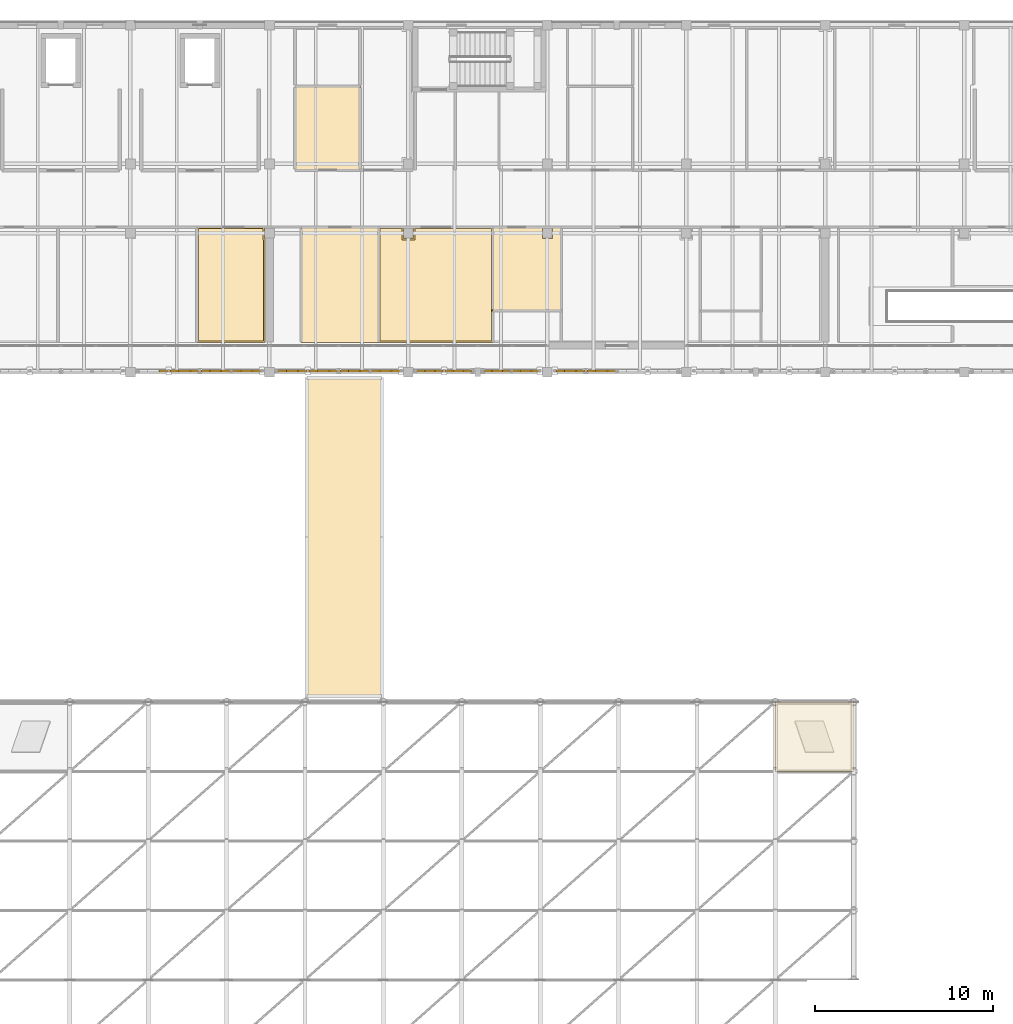
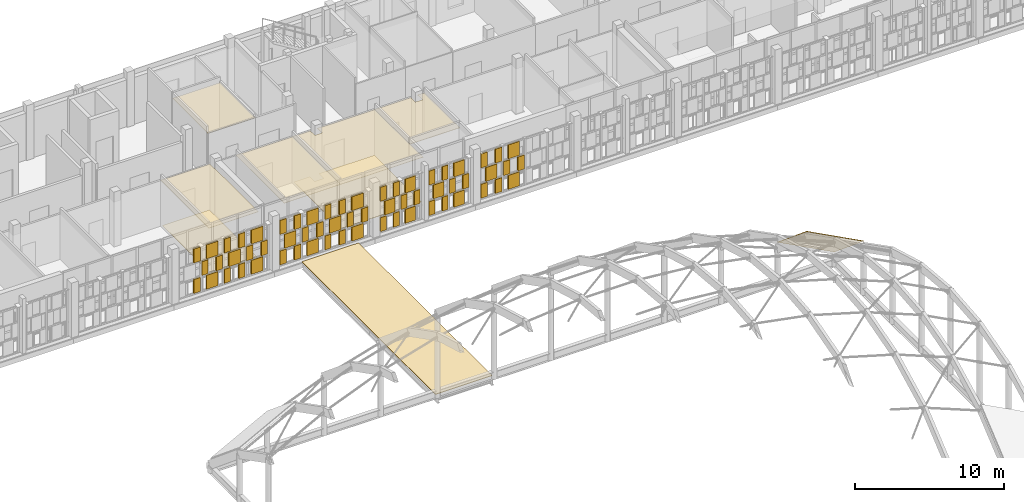
# One storey, part 114 of 119: 69 coverings.
"""IFC4 building model written with IfcOpenShell, lengths in metres."""

from ifc_helpers import new_model, si_unit, direction, frame, origin, origin_2d, place, context, subcontext, project, spatial, polyline, rectangle, outline, extrude, material, layer, layer_set, type_object, element, save


model = new_model("IFC4")

# Units and contexts
model_context = context("Model", 3, precision=1e-05, world=origin(), true_north=direction((0.0, 1.0)))
body_context = subcontext(model_context, "Body", "Model", "MODEL_VIEW")
ifc_project = project(units=[si_unit("LENGTHUNIT", "METRE"), si_unit("AREAUNIT", "SQUARE_METRE"), si_unit("VOLUMEUNIT", "CUBIC_METRE"), si_unit("PLANEANGLEUNIT", "RADIAN"), si_unit("MASSUNIT", "GRAM", prefix="KILO")], contexts=[model_context])

# Site, building, storey
site_placement = place(None, origin())
site = spatial("IfcSite", under=ifc_project, at=site_placement, CompositionType="ELEMENT")
building_placement = place(site_placement, origin())
building = spatial("IfcBuilding", under=site, at=building_placement, Name="Celorna Specialist Clinic", CompositionType="ELEMENT")
storey_placement = place(building_placement, frame((0.0, 0.0, 9.60009765625)))
storey = spatial("IfcBuildingStorey", under=building, at=storey_placement, Name="L02", CompositionType="ELEMENT", Elevation=9.60009765625)

# Coverings
ifc_material_1 = material(Name="Hygienic acoustic mineral-fibre ceiling")
ifc_layer_1 = layer(ifc_material_1, 0.030029296875, Name="Hygienic acoustic mineral-fibre ceiling")
ifc_layer_set_1 = layer_set([ifc_layer_1], Name="Hygienic acoustic mineral-fibre ceiling")
covering_type_1 = type_object("IfcCoveringType", Name="CE-01", PredefinedType="CEILING", material=ifc_layer_set_1)
covering_1_placement = place(storey_placement, frame((0.0, 0.0, 3.68994140625)))
element("IfcCovering", 1, at=covering_1_placement, inside=storey, type_object=covering_type_1, Name="Acoustic ceiling L02-029", PredefinedType="CEILING", context=body_context, shape_type="SweptSolid", body=[
    extrude(outline(polyline([(69.929931640625, 104.6650390625), (69.929931640625, 104.580078125), (69.919921875, 104.580078125), (69.919921875, 104.02001953125), (69.965087890625, 104.02001953125), (69.965087890625, 98.175048828125), (66.125, 98.175048828125), (66.125, 104.6650390625), (69.929931640625, 104.6650390625)])), origin(), (0.0, 0.0, 1.0), 0.030029296875),
])
covering_2_placement = place(storey_placement, frame((0.0, 0.0, 3.68994140625)))
element("IfcCovering", 2, at=covering_2_placement, inside=storey, type_object=covering_type_1, Name="Acoustic ceiling L02-030", PredefinedType="CEILING", context=body_context, shape_type="SweptSolid", body=[
    extrude(outline(polyline([(76.35498046875, 104.6650390625), (76.35498046875, 98.175048828125), (71.97509765625, 98.175048828125), (71.97509765625, 104.6650390625), (76.35498046875, 104.6650390625)])), origin(), (0.0, 0.0, 1.0), 0.030029296875),
])
covering_3_placement = place(storey_placement, frame((0.0, 0.0, 3.68994140625)))
element("IfcCovering", 3, at=covering_3_placement, inside=storey, type_object=covering_type_1, Name="Acoustic ceiling L02-031", PredefinedType="CEILING", context=body_context, shape_type="SweptSolid", body=[
    extrude(outline(polyline([(77.72998046875, 104.6650390625), (77.72998046875, 104.580078125), (77.719970703125, 104.580078125), (77.719970703125, 104.02001953125), (78.280029296875, 104.02001953125), (78.280029296875, 104.580078125), (78.27001953125, 104.580078125), (78.27001953125, 104.6650390625), (82.7548828125, 104.6650390625), (82.7548828125, 98.175048828125), (76.324951171875, 98.175048828125), (76.324951171875, 104.6650390625), (77.72998046875, 104.6650390625)])), origin(), (0.0, 0.0, 1.0), 0.030029296875),
])
covering_4_placement = place(storey_placement, frame((0.0, 0.0, 3.68994140625)))
element("IfcCovering", 4, at=covering_4_placement, inside=storey, type_object=covering_type_1, Name="Acoustic ceiling L02-032", PredefinedType="CEILING", context=body_context, shape_type="SweptSolid", body=[
    extrude(outline(polyline([(85.530029296875, 104.6650390625), (85.530029296875, 104.580078125), (85.52001953125, 104.580078125), (85.52001953125, 104.02001953125), (86.080078125, 104.02001953125), (86.080078125, 104.580078125), (86.070068359375, 104.580078125), (86.070068359375, 104.6650390625), (86.60498046875, 104.6650390625), (86.60498046875, 99.93505859375), (82.72509765625, 99.93505859375), (82.72509765625, 104.6650390625), (85.530029296875, 104.6650390625)])), origin(), (0.0, 0.0, 1.0), 0.030029296875),
])
covering_5_placement = place(storey_placement, frame((0.0, 0.0, 3.68994140625)))
element("IfcCovering", 5, at=covering_5_placement, inside=storey, type_object=covering_type_1, Name="Acoustic ceiling L02-042", PredefinedType="CEILING", context=body_context, shape_type="SweptSolid", body=[
    extrude(outline(polyline([(75.304931640625, 112.56494140625), (75.304931640625, 107.8349609375), (71.625, 107.8349609375), (71.625, 112.56494140625), (75.304931640625, 112.56494140625)])), origin(), (0.0, 0.0, 1.0), 0.030029296875),
])
ifc_material_2 = material(Name="Perforated terracotta brick weave cladding", Category="masonry")
ifc_layer_2 = layer(ifc_material_2, 0.114990234375, Name="Perforated terracotta brick weave cladding")
ifc_layer_set_2 = layer_set([ifc_layer_2], Name="Perforated terracotta brick weave cladding")
covering_type_2 = type_object("IfcCoveringType", Name="CL-02", PredefinedType="CLADDING", material=ifc_layer_set_2)
for number, where, z_axis, x_axis, name in (
    (6, (64.25, 96.570068359375, 0.10009765625), (0.0, 0.0, 1.0), (1.0, 0.0, 0.0), "Woven perforated terracotta brick course #897"),
    (7, (64.25, 96.570068359375, 2.59326171875), (0.0, 0.0, 1.0), (1.0, 0.0, 0.0), "Woven perforated terracotta brick course #900"),
):
    element("IfcCovering", number, at=place(storey_placement, frame(where, z_axis=z_axis, x_axis=x_axis)), inside=storey, type_object=covering_type_2, Name=name, PredefinedType="CLADDING", context=body_context, shape_type="SweptSolid", body=[
        extrude(rectangle(XDim=0.494873046875, YDim=0.114990234375, at=origin_2d()), origin(), (0.0, 0.0, 1.0), 1.146728515625),
    ])
covering_6_placement = place(storey_placement, frame((65.4287109375, 96.570068359375, 0.10009765625), z_axis=(0.0, 0.0, 1.0), x_axis=(1.0, 0.0, 0.0)))
element("IfcCovering", 8, at=covering_6_placement, inside=storey, type_object=covering_type_2, Name="Woven perforated terracotta brick course #901", PredefinedType="CLADDING", context=body_context, shape_type="SweptSolid", body=[
    extrude(rectangle(XDim=0.876220703125, YDim=0.114990234375, at=origin_2d()), origin(), (0.0, 0.0, 1.0), 1.146728515625),
])
for number, where, z_axis, x_axis, name in (
    (9, (64.864990234375, 96.570068359375, 1.3466796875), (0.0, 0.0, 1.0), (1.0, 0.0, 0.0), "Woven perforated terracotta brick course #902"),
    (10, (65.992431640625, 96.570068359375, 1.3466796875), (0.0, 0.0, 1.0), (1.0, 0.0, 0.0), "Woven perforated terracotta brick course #903"),
):
    element("IfcCovering", number, at=place(storey_placement, frame(where, z_axis=z_axis, x_axis=x_axis)), inside=storey, type_object=covering_type_2, Name=name, PredefinedType="CLADDING", context=body_context, shape_type="SweptSolid", body=[
        extrude(rectangle(XDim=0.494873046875, YDim=0.114990234375, at=origin_2d()), origin(), (0.0, 0.0, 1.0), 1.146484375),
    ])
covering_7_placement = place(storey_placement, frame((65.4287109375, 96.570068359375, 2.59326171875), z_axis=(0.0, 0.0, 1.0), x_axis=(1.0, 0.0, 0.0)))
element("IfcCovering", 11, at=covering_7_placement, inside=storey, type_object=covering_type_2, Name="Woven perforated terracotta brick course #904", PredefinedType="CLADDING", context=body_context, shape_type="SweptSolid", body=[
    extrude(rectangle(XDim=0.876220703125, YDim=0.114990234375, at=origin_2d()), origin(), (0.0, 0.0, 1.0), 1.146728515625),
])
for number, where, z_axis, x_axis, name in (
    (12, (66.607421875, 96.570068359375, 0.10009765625), (0.0, 0.0, 1.0), (1.0, 0.0, 0.0), "Woven perforated terracotta brick course #905"),
    (13, (67.735107421875, 96.570068359375, 0.10009765625), (0.0, 0.0, 1.0), (1.0, 0.0, 0.0), "Woven perforated terracotta brick course #906"),
):
    element("IfcCovering", number, at=place(storey_placement, frame(where, z_axis=z_axis, x_axis=x_axis)), inside=storey, type_object=covering_type_2, Name=name, PredefinedType="CLADDING", context=body_context, shape_type="SweptSolid", body=[
        extrude(rectangle(XDim=0.494873046875, YDim=0.114990234375, at=origin_2d()), origin(), (0.0, 0.0, 1.0), 1.146728515625),
    ])
covering_8_placement = place(storey_placement, frame((67.17138671875, 96.570068359375, 1.3466796875), z_axis=(0.0, 0.0, 1.0), x_axis=(1.0, 0.0, 0.0)))
element("IfcCovering", 14, at=covering_8_placement, inside=storey, type_object=covering_type_2, Name="Woven perforated terracotta brick course #907", PredefinedType="CLADDING", context=body_context, shape_type="SweptSolid", body=[
    extrude(rectangle(XDim=0.876220703125, YDim=0.114990234375, at=origin_2d()), origin(), (0.0, 0.0, 1.0), 1.146484375),
])
for number, where, z_axis, x_axis, name in (
    (15, (66.607421875, 96.570068359375, 2.59326171875), (0.0, 0.0, 1.0), (1.0, 0.0, 0.0), "Woven perforated terracotta brick course #908"),
    (16, (67.735107421875, 96.570068359375, 2.59326171875), (0.0, 0.0, 1.0), (1.0, 0.0, 0.0), "Woven perforated terracotta brick course #909"),
):
    element("IfcCovering", number, at=place(storey_placement, frame(where, z_axis=z_axis, x_axis=x_axis)), inside=storey, type_object=covering_type_2, Name=name, PredefinedType="CLADDING", context=body_context, shape_type="SweptSolid", body=[
        extrude(rectangle(XDim=0.494873046875, YDim=0.114990234375, at=origin_2d()), origin(), (0.0, 0.0, 1.0), 1.146728515625),
    ])
covering_9_placement = place(storey_placement, frame((68.913818359375, 96.570068359375, 0.10009765625), z_axis=(0.0, 0.0, 1.0), x_axis=(1.0, 0.0, 0.0)))
element("IfcCovering", 17, at=covering_9_placement, inside=storey, type_object=covering_type_2, Name="Woven perforated terracotta brick course #910", PredefinedType="CLADDING", context=body_context, shape_type="SweptSolid", body=[
    extrude(rectangle(XDim=0.876220703125, YDim=0.114990234375, at=origin_2d()), origin(), (0.0, 0.0, 1.0), 1.146728515625),
])
for number, where, z_axis, x_axis, name in (
    (18, (68.349853515625, 96.570068359375, 1.3466796875), (0.0, 0.0, 1.0), (1.0, 0.0, 0.0), "Woven perforated terracotta brick course #911"),
    (19, (69.4775390625, 96.570068359375, 1.3466796875), (0.0, 0.0, 1.0), (1.0, 0.0, 0.0), "Woven perforated terracotta brick course #912"),
):
    element("IfcCovering", number, at=place(storey_placement, frame(where, z_axis=z_axis, x_axis=x_axis)), inside=storey, type_object=covering_type_2, Name=name, PredefinedType="CLADDING", context=body_context, shape_type="SweptSolid", body=[
        extrude(rectangle(XDim=0.494873046875, YDim=0.114990234375, at=origin_2d()), origin(), (0.0, 0.0, 1.0), 1.146484375),
    ])
covering_10_placement = place(storey_placement, frame((68.913818359375, 96.570068359375, 2.59326171875), z_axis=(0.0, 0.0, 1.0), x_axis=(1.0, 0.0, 0.0)))
element("IfcCovering", 20, at=covering_10_placement, inside=storey, type_object=covering_type_2, Name="Woven perforated terracotta brick course #913", PredefinedType="CLADDING", context=body_context, shape_type="SweptSolid", body=[
    extrude(rectangle(XDim=0.876220703125, YDim=0.114990234375, at=origin_2d()), origin(), (0.0, 0.0, 1.0), 1.146728515625),
])
for number, where, z_axis, x_axis, name in (
    (21, (70.922607421875, 96.570068359375, 0.10009765625), (0.0, 0.0, 1.0), (1.0, 0.0, 0.0), "Woven perforated terracotta brick course #914"),
    (22, (72.050048828125, 96.570068359375, 0.10009765625), (0.0, 0.0, 1.0), (1.0, 0.0, 0.0), "Woven perforated terracotta brick course #915"),
):
    element("IfcCovering", number, at=place(storey_placement, frame(where, z_axis=z_axis, x_axis=x_axis)), inside=storey, type_object=covering_type_2, Name=name, PredefinedType="CLADDING", context=body_context, shape_type="SweptSolid", body=[
        extrude(rectangle(XDim=0.494873046875, YDim=0.114990234375, at=origin_2d()), origin(), (0.0, 0.0, 1.0), 1.146728515625),
    ])
covering_11_placement = place(storey_placement, frame((71.486328125, 96.570068359375, 1.3466796875), z_axis=(0.0, 0.0, 1.0), x_axis=(1.0, 0.0, 0.0)))
element("IfcCovering", 23, at=covering_11_placement, inside=storey, type_object=covering_type_2, Name="Woven perforated terracotta brick course #916", PredefinedType="CLADDING", context=body_context, shape_type="SweptSolid", body=[
    extrude(rectangle(XDim=0.876220703125, YDim=0.114990234375, at=origin_2d()), origin(), (0.0, 0.0, 1.0), 1.146484375),
])
for number, where, z_axis, x_axis, name in (
    (24, (70.922607421875, 96.570068359375, 2.59326171875), (0.0, 0.0, 1.0), (1.0, 0.0, 0.0), "Woven perforated terracotta brick course #917"),
    (25, (72.050048828125, 96.570068359375, 2.59326171875), (0.0, 0.0, 1.0), (1.0, 0.0, 0.0), "Woven perforated terracotta brick course #918"),
):
    element("IfcCovering", number, at=place(storey_placement, frame(where, z_axis=z_axis, x_axis=x_axis)), inside=storey, type_object=covering_type_2, Name=name, PredefinedType="CLADDING", context=body_context, shape_type="SweptSolid", body=[
        extrude(rectangle(XDim=0.494873046875, YDim=0.114990234375, at=origin_2d()), origin(), (0.0, 0.0, 1.0), 1.146728515625),
    ])
covering_12_placement = place(storey_placement, frame((73.228759765625, 96.570068359375, 0.10009765625), z_axis=(0.0, 0.0, 1.0), x_axis=(1.0, 0.0, 0.0)))
element("IfcCovering", 26, at=covering_12_placement, inside=storey, type_object=covering_type_2, Name="Woven perforated terracotta brick course #919", PredefinedType="CLADDING", context=body_context, shape_type="SweptSolid", body=[
    extrude(rectangle(XDim=0.876220703125, YDim=0.114990234375, at=origin_2d()), origin(), (0.0, 0.0, 1.0), 1.146728515625),
])
for number, where, z_axis, x_axis, name in (
    (27, (72.6650390625, 96.570068359375, 1.3466796875), (0.0, 0.0, 1.0), (1.0, 0.0, 0.0), "Woven perforated terracotta brick course #920"),
    (28, (73.79248046875, 96.570068359375, 1.3466796875), (0.0, 0.0, 1.0), (1.0, 0.0, 0.0), "Woven perforated terracotta brick course #921"),
):
    element("IfcCovering", number, at=place(storey_placement, frame(where, z_axis=z_axis, x_axis=x_axis)), inside=storey, type_object=covering_type_2, Name=name, PredefinedType="CLADDING", context=body_context, shape_type="SweptSolid", body=[
        extrude(rectangle(XDim=0.494873046875, YDim=0.114990234375, at=origin_2d()), origin(), (0.0, 0.0, 1.0), 1.146484375),
    ])
covering_13_placement = place(storey_placement, frame((73.228759765625, 96.570068359375, 2.59326171875), z_axis=(0.0, 0.0, 1.0), x_axis=(1.0, 0.0, 0.0)))
element("IfcCovering", 29, at=covering_13_placement, inside=storey, type_object=covering_type_2, Name="Woven perforated terracotta brick course #922", PredefinedType="CLADDING", context=body_context, shape_type="SweptSolid", body=[
    extrude(rectangle(XDim=0.876220703125, YDim=0.114990234375, at=origin_2d()), origin(), (0.0, 0.0, 1.0), 1.146728515625),
])
for number, where, z_axis, x_axis, name in (
    (30, (74.407470703125, 96.570068359375, 0.10009765625), (0.0, 0.0, 1.0), (1.0, 0.0, 0.0), "Woven perforated terracotta brick course #923"),
    (31, (75.534912109375, 96.570068359375, 0.10009765625), (0.0, 0.0, 1.0), (1.0, 0.0, 0.0), "Woven perforated terracotta brick course #924"),
):
    element("IfcCovering", number, at=place(storey_placement, frame(where, z_axis=z_axis, x_axis=x_axis)), inside=storey, type_object=covering_type_2, Name=name, PredefinedType="CLADDING", context=body_context, shape_type="SweptSolid", body=[
        extrude(rectangle(XDim=0.494873046875, YDim=0.114990234375, at=origin_2d()), origin(), (0.0, 0.0, 1.0), 1.146728515625),
    ])
covering_14_placement = place(storey_placement, frame((74.97119140625, 96.570068359375, 1.3466796875), z_axis=(0.0, 0.0, 1.0), x_axis=(1.0, 0.0, 0.0)))
element("IfcCovering", 32, at=covering_14_placement, inside=storey, type_object=covering_type_2, Name="Woven perforated terracotta brick course #925", PredefinedType="CLADDING", context=body_context, shape_type="SweptSolid", body=[
    extrude(rectangle(XDim=0.876220703125, YDim=0.114990234375, at=origin_2d()), origin(), (0.0, 0.0, 1.0), 1.146484375),
])
for number, where, z_axis, x_axis, name in (
    (33, (74.407470703125, 96.570068359375, 2.59326171875), (0.0, 0.0, 1.0), (1.0, 0.0, 0.0), "Woven perforated terracotta brick course #926"),
    (34, (75.534912109375, 96.570068359375, 2.59326171875), (0.0, 0.0, 1.0), (1.0, 0.0, 0.0), "Woven perforated terracotta brick course #927"),
):
    element("IfcCovering", number, at=place(storey_placement, frame(where, z_axis=z_axis, x_axis=x_axis)), inside=storey, type_object=covering_type_2, Name=name, PredefinedType="CLADDING", context=body_context, shape_type="SweptSolid", body=[
        extrude(rectangle(XDim=0.494873046875, YDim=0.114990234375, at=origin_2d()), origin(), (0.0, 0.0, 1.0), 1.146728515625),
    ])
covering_15_placement = place(storey_placement, frame((76.713623046875, 96.570068359375, 0.10009765625), z_axis=(0.0, 0.0, 1.0), x_axis=(1.0, 0.0, 0.0)))
element("IfcCovering", 35, at=covering_15_placement, inside=storey, type_object=covering_type_2, Name="Woven perforated terracotta brick course #928", PredefinedType="CLADDING", context=body_context, shape_type="SweptSolid", body=[
    extrude(rectangle(XDim=0.876220703125, YDim=0.114990234375, at=origin_2d()), origin(), (0.0, 0.0, 1.0), 1.146728515625),
])
for number, where, z_axis, x_axis, name in (
    (36, (76.14990234375, 96.570068359375, 1.3466796875), (0.0, 0.0, 1.0), (1.0, 0.0, 0.0), "Woven perforated terracotta brick course #929"),
    (37, (77.277587890625, 96.570068359375, 1.3466796875), (0.0, 0.0, 1.0), (1.0, 0.0, 0.0), "Woven perforated terracotta brick course #930"),
):
    element("IfcCovering", number, at=place(storey_placement, frame(where, z_axis=z_axis, x_axis=x_axis)), inside=storey, type_object=covering_type_2, Name=name, PredefinedType="CLADDING", context=body_context, shape_type="SweptSolid", body=[
        extrude(rectangle(XDim=0.494873046875, YDim=0.114990234375, at=origin_2d()), origin(), (0.0, 0.0, 1.0), 1.146484375),
    ])
covering_16_placement = place(storey_placement, frame((76.713623046875, 96.570068359375, 2.59326171875), z_axis=(0.0, 0.0, 1.0), x_axis=(1.0, 0.0, 0.0)))
element("IfcCovering", 38, at=covering_16_placement, inside=storey, type_object=covering_type_2, Name="Woven perforated terracotta brick course #931", PredefinedType="CLADDING", context=body_context, shape_type="SweptSolid", body=[
    extrude(rectangle(XDim=0.876220703125, YDim=0.114990234375, at=origin_2d()), origin(), (0.0, 0.0, 1.0), 1.146728515625),
])
for number, where, z_axis, x_axis, name in (
    (39, (78.7001953125, 96.570068359375, 0.10009765625), (0.0, 0.0, 1.0), (1.0, 0.0, 0.0), "Woven perforated terracotta brick course #932"),
    (40, (79.727294921875, 96.570068359375, 0.10009765625), (0.0, 0.0, 1.0), (1.0, 0.0, 0.0), "Woven perforated terracotta brick course #933"),
):
    element("IfcCovering", number, at=place(storey_placement, frame(where, z_axis=z_axis, x_axis=x_axis)), inside=storey, type_object=covering_type_2, Name=name, PredefinedType="CLADDING", context=body_context, shape_type="SweptSolid", body=[
        extrude(rectangle(XDim=0.45068359375, YDim=0.114990234375, at=origin_2d()), origin(), (0.0, 0.0, 1.0), 1.146728515625),
    ])
covering_17_placement = place(storey_placement, frame((79.2138671875, 96.570068359375, 1.3466796875), z_axis=(0.0, 0.0, 1.0), x_axis=(1.0, 0.0, 0.0)))
element("IfcCovering", 41, at=covering_17_placement, inside=storey, type_object=covering_type_2, Name="Woven perforated terracotta brick course #934", PredefinedType="CLADDING", context=body_context, shape_type="SweptSolid", body=[
    extrude(rectangle(XDim=0.7978515625, YDim=0.114990234375, at=origin_2d()), origin(), (0.0, 0.0, 1.0), 1.146484375),
])
for number, where, z_axis, x_axis, name in (
    (42, (78.7001953125, 96.570068359375, 2.59326171875), (0.0, 0.0, 1.0), (1.0, 0.0, 0.0), "Woven perforated terracotta brick course #935"),
    (43, (79.727294921875, 96.570068359375, 2.59326171875), (0.0, 0.0, 1.0), (1.0, 0.0, 0.0), "Woven perforated terracotta brick course #936"),
):
    element("IfcCovering", number, at=place(storey_placement, frame(where, z_axis=z_axis, x_axis=x_axis)), inside=storey, type_object=covering_type_2, Name=name, PredefinedType="CLADDING", context=body_context, shape_type="SweptSolid", body=[
        extrude(rectangle(XDim=0.45068359375, YDim=0.114990234375, at=origin_2d()), origin(), (0.0, 0.0, 1.0), 1.146728515625),
    ])
covering_18_placement = place(storey_placement, frame((80.811279296875, 96.570068359375, 0.10009765625), z_axis=(0.0, 0.0, 1.0), x_axis=(1.0, 0.0, 0.0)))
element("IfcCovering", 44, at=covering_18_placement, inside=storey, type_object=covering_type_2, Name="Woven perforated terracotta brick course #937", PredefinedType="CLADDING", context=body_context, shape_type="SweptSolid", body=[
    extrude(rectangle(XDim=0.7978515625, YDim=0.114990234375, at=origin_2d()), origin(), (0.0, 0.0, 1.0), 1.146728515625),
])
for number, where, z_axis, x_axis, name in (
    (45, (80.2978515625, 96.570068359375, 1.3466796875), (0.0, 0.0, 1.0), (1.0, 0.0, 0.0), "Woven perforated terracotta brick course #938"),
    (46, (81.32470703125, 96.570068359375, 1.3466796875), (0.0, 0.0, 1.0), (1.0, 0.0, 0.0), "Woven perforated terracotta brick course #939"),
):
    element("IfcCovering", number, at=place(storey_placement, frame(where, z_axis=z_axis, x_axis=x_axis)), inside=storey, type_object=covering_type_2, Name=name, PredefinedType="CLADDING", context=body_context, shape_type="SweptSolid", body=[
        extrude(rectangle(XDim=0.45068359375, YDim=0.114990234375, at=origin_2d()), origin(), (0.0, 0.0, 1.0), 1.146484375),
    ])
covering_19_placement = place(storey_placement, frame((80.811279296875, 96.570068359375, 2.59326171875), z_axis=(0.0, 0.0, 1.0), x_axis=(1.0, 0.0, 0.0)))
element("IfcCovering", 47, at=covering_19_placement, inside=storey, type_object=covering_type_2, Name="Woven perforated terracotta brick course #940", PredefinedType="CLADDING", context=body_context, shape_type="SweptSolid", body=[
    extrude(rectangle(XDim=0.7978515625, YDim=0.114990234375, at=origin_2d()), origin(), (0.0, 0.0, 1.0), 1.146728515625),
])
for number, where, z_axis, x_axis, name in (
    (48, (82.475341796875, 96.570068359375, 0.10009765625), (0.0, 0.0, 1.0), (1.0, 0.0, 0.0), "Woven perforated terracotta brick course #941"),
    (49, (83.502197265625, 96.570068359375, 0.10009765625), (0.0, 0.0, 1.0), (1.0, 0.0, 0.0), "Woven perforated terracotta brick course #942"),
):
    element("IfcCovering", number, at=place(storey_placement, frame(where, z_axis=z_axis, x_axis=x_axis)), inside=storey, type_object=covering_type_2, Name=name, PredefinedType="CLADDING", context=body_context, shape_type="SweptSolid", body=[
        extrude(rectangle(XDim=0.45068359375, YDim=0.114990234375, at=origin_2d()), origin(), (0.0, 0.0, 1.0), 1.146728515625),
    ])
covering_20_placement = place(storey_placement, frame((82.98876953125, 96.570068359375, 1.3466796875), z_axis=(0.0, 0.0, 1.0), x_axis=(1.0, 0.0, 0.0)))
element("IfcCovering", 50, at=covering_20_placement, inside=storey, type_object=covering_type_2, Name="Woven perforated terracotta brick course #943", PredefinedType="CLADDING", context=body_context, shape_type="SweptSolid", body=[
    extrude(rectangle(XDim=0.7978515625, YDim=0.114990234375, at=origin_2d()), origin(), (0.0, 0.0, 1.0), 1.146484375),
])
for number, where, z_axis, x_axis, name in (
    (51, (82.475341796875, 96.570068359375, 2.59326171875), (0.0, 0.0, 1.0), (1.0, 0.0, 0.0), "Woven perforated terracotta brick course #944"),
    (52, (83.502197265625, 96.570068359375, 2.59326171875), (0.0, 0.0, 1.0), (1.0, 0.0, 0.0), "Woven perforated terracotta brick course #945"),
):
    element("IfcCovering", number, at=place(storey_placement, frame(where, z_axis=z_axis, x_axis=x_axis)), inside=storey, type_object=covering_type_2, Name=name, PredefinedType="CLADDING", context=body_context, shape_type="SweptSolid", body=[
        extrude(rectangle(XDim=0.45068359375, YDim=0.114990234375, at=origin_2d()), origin(), (0.0, 0.0, 1.0), 1.146728515625),
    ])
covering_21_placement = place(storey_placement, frame((84.586181640625, 96.570068359375, 0.10009765625), z_axis=(0.0, 0.0, 1.0), x_axis=(1.0, 0.0, 0.0)))
element("IfcCovering", 53, at=covering_21_placement, inside=storey, type_object=covering_type_2, Name="Woven perforated terracotta brick course #946", PredefinedType="CLADDING", context=body_context, shape_type="SweptSolid", body=[
    extrude(rectangle(XDim=0.7978515625, YDim=0.114990234375, at=origin_2d()), origin(), (0.0, 0.0, 1.0), 1.146728515625),
])
for number, where, z_axis, x_axis, name in (
    (54, (84.07275390625, 96.570068359375, 1.3466796875), (0.0, 0.0, 1.0), (1.0, 0.0, 0.0), "Woven perforated terracotta brick course #947"),
    (55, (85.099609375, 96.570068359375, 1.3466796875), (0.0, 0.0, 1.0), (1.0, 0.0, 0.0), "Woven perforated terracotta brick course #948"),
):
    element("IfcCovering", number, at=place(storey_placement, frame(where, z_axis=z_axis, x_axis=x_axis)), inside=storey, type_object=covering_type_2, Name=name, PredefinedType="CLADDING", context=body_context, shape_type="SweptSolid", body=[
        extrude(rectangle(XDim=0.45068359375, YDim=0.114990234375, at=origin_2d()), origin(), (0.0, 0.0, 1.0), 1.146484375),
    ])
covering_22_placement = place(storey_placement, frame((84.586181640625, 96.570068359375, 2.59326171875), z_axis=(0.0, 0.0, 1.0), x_axis=(1.0, 0.0, 0.0)))
element("IfcCovering", 56, at=covering_22_placement, inside=storey, type_object=covering_type_2, Name="Woven perforated terracotta brick course #949", PredefinedType="CLADDING", context=body_context, shape_type="SweptSolid", body=[
    extrude(rectangle(XDim=0.7978515625, YDim=0.114990234375, at=origin_2d()), origin(), (0.0, 0.0, 1.0), 1.146728515625),
])
for number, where, z_axis, x_axis, name in (
    (57, (86.5224609375, 96.570068359375, 0.10009765625), (0.0, 0.0, 1.0), (1.0, 0.0, 0.0), "Woven perforated terracotta brick course #950"),
    (58, (87.64990234375, 96.570068359375, 0.10009765625), (0.0, 0.0, 1.0), (1.0, 0.0, 0.0), "Woven perforated terracotta brick course #951"),
):
    element("IfcCovering", number, at=place(storey_placement, frame(where, z_axis=z_axis, x_axis=x_axis)), inside=storey, type_object=covering_type_2, Name=name, PredefinedType="CLADDING", context=body_context, shape_type="SweptSolid", body=[
        extrude(rectangle(XDim=0.494873046875, YDim=0.114990234375, at=origin_2d()), origin(), (0.0, 0.0, 1.0), 1.146728515625),
    ])
covering_23_placement = place(storey_placement, frame((87.086181640625, 96.570068359375, 1.3466796875), z_axis=(0.0, 0.0, 1.0), x_axis=(1.0, 0.0, 0.0)))
element("IfcCovering", 59, at=covering_23_placement, inside=storey, type_object=covering_type_2, Name="Woven perforated terracotta brick course #952", PredefinedType="CLADDING", context=body_context, shape_type="SweptSolid", body=[
    extrude(rectangle(XDim=0.876220703125, YDim=0.114990234375, at=origin_2d()), origin(), (0.0, 0.0, 1.0), 1.146484375),
])
for number, where, z_axis, x_axis, name in (
    (60, (86.5224609375, 96.570068359375, 2.59326171875), (0.0, 0.0, 1.0), (1.0, 0.0, 0.0), "Woven perforated terracotta brick course #953"),
    (61, (87.64990234375, 96.570068359375, 2.59326171875), (0.0, 0.0, 1.0), (1.0, 0.0, 0.0), "Woven perforated terracotta brick course #954"),
):
    element("IfcCovering", number, at=place(storey_placement, frame(where, z_axis=z_axis, x_axis=x_axis)), inside=storey, type_object=covering_type_2, Name=name, PredefinedType="CLADDING", context=body_context, shape_type="SweptSolid", body=[
        extrude(rectangle(XDim=0.494873046875, YDim=0.114990234375, at=origin_2d()), origin(), (0.0, 0.0, 1.0), 1.146728515625),
    ])
covering_24_placement = place(storey_placement, frame((88.82861328125, 96.570068359375, 0.10009765625), z_axis=(0.0, 0.0, 1.0), x_axis=(1.0, 0.0, 0.0)))
element("IfcCovering", 62, at=covering_24_placement, inside=storey, type_object=covering_type_2, Name="Woven perforated terracotta brick course #955", PredefinedType="CLADDING", context=body_context, shape_type="SweptSolid", body=[
    extrude(rectangle(XDim=0.876220703125, YDim=0.114990234375, at=origin_2d()), origin(), (0.0, 0.0, 1.0), 1.146728515625),
])
for number, where, z_axis, x_axis, name in (
    (63, (88.264892578125, 96.570068359375, 1.3466796875), (0.0, 0.0, 1.0), (1.0, 0.0, 0.0), "Woven perforated terracotta brick course #956"),
    (64, (89.392578125, 96.570068359375, 1.3466796875), (0.0, 0.0, 1.0), (1.0, 0.0, 0.0), "Woven perforated terracotta brick course #957"),
):
    element("IfcCovering", number, at=place(storey_placement, frame(where, z_axis=z_axis, x_axis=x_axis)), inside=storey, type_object=covering_type_2, Name=name, PredefinedType="CLADDING", context=body_context, shape_type="SweptSolid", body=[
        extrude(rectangle(XDim=0.494873046875, YDim=0.114990234375, at=origin_2d()), origin(), (0.0, 0.0, 1.0), 1.146484375),
    ])
covering_25_placement = place(storey_placement, frame((88.82861328125, 96.570068359375, 2.59326171875), z_axis=(0.0, 0.0, 1.0), x_axis=(1.0, 0.0, 0.0)))
element("IfcCovering", 65, at=covering_25_placement, inside=storey, type_object=covering_type_2, Name="Woven perforated terracotta brick course #958", PredefinedType="CLADDING", context=body_context, shape_type="SweptSolid", body=[
    extrude(rectangle(XDim=0.876220703125, YDim=0.114990234375, at=origin_2d()), origin(), (0.0, 0.0, 1.0), 1.146728515625),
])
ifc_material_3 = material(Name="Seamless antimicrobial clinical vinyl and Lioz terrazzo flooring")
ifc_layer_3 = layer(ifc_material_3, 0.02001953125, Name="Seamless antimicrobial clinical vinyl and Lioz terrazzo flooring")
ifc_layer_set_3 = layer_set([ifc_layer_3], Name="Seamless antimicrobial clinical vinyl and Lioz terrazzo flooring")
covering_type_3 = type_object("IfcCoveringType", Name="FL-01", PredefinedType="FLOORING", material=ifc_layer_set_3)
covering_26_placement = place(storey_placement, origin())
element("IfcCovering", 66, at=covering_26_placement, inside=storey, type_object=covering_type_3, Name="Antimicrobial clinical flooring L02-029", PredefinedType="FLOORING", context=body_context, shape_type="SweptSolid", body=[
    extrude(outline(polyline([(66.215087890625, 104.574951171875), (69.840087890625, 104.574951171875), (69.840087890625, 103.93994140625), (69.875, 103.93994140625), (69.875, 98.264892578125), (66.215087890625, 98.264892578125), (66.215087890625, 104.574951171875)])), origin(), (0.0, 0.0, 1.0), 0.02001953125),
])
covering_27_placement = place(storey_placement, origin())
element("IfcCovering", 67, at=covering_27_placement, inside=storey, type_object=covering_type_3, Name="Antimicrobial clinical flooring L02-031", PredefinedType="FLOORING", context=body_context, shape_type="SweptSolid", body=[
    extrude(outline(polyline([(76.4150390625, 104.574951171875), (77.639892578125, 104.574951171875), (77.639892578125, 103.93994140625), (78.360107421875, 103.93994140625), (78.360107421875, 104.574951171875), (82.6650390625, 104.574951171875), (82.6650390625, 98.264892578125), (76.4150390625, 98.264892578125), (76.4150390625, 104.574951171875)])), origin(), (0.0, 0.0, 1.0), 0.02001953125),
])
ifc_material_4 = material(Name="Standing-seam zinc and EPDM acoustic roofing membrane")
ifc_layer_4 = layer(ifc_material_4, 0.0400390625, Name="Standing-seam zinc and EPDM acoustic roofing membrane")
ifc_layer_set_4 = layer_set([ifc_layer_4], Name="Standing-seam zinc and EPDM acoustic roofing membrane")
covering_type_4 = type_object("IfcCoveringType", Name="RFG-01", PredefinedType="ROOFING", material=ifc_layer_set_4)
covering_28_placement = place(storey_placement, origin())
element("IfcCovering", 68, at=covering_28_placement, inside=storey, type_object=covering_type_4, Name="Cloister bridge BR-04 standing-seam roofing", PredefinedType="ROOFING", context=body_context, shape_type="SweptSolid", body=[
    extrude(outline(polyline([(72.199951171875, 78.260009765625), (76.60009765625, 78.260009765625), (76.60009765625, 96.199951171875), (72.199951171875, 96.199951171875), (72.199951171875, 78.260009765625)])), origin(), (0.0, 0.0, 1.0), 0.039794921875),
])
covering_29_placement = place(storey_placement, frame((98.60009765625, 74.10009765625, 6.7021484375), z_axis=(0.377044351271, 0.592167971342, 0.712161955521), x_axis=(0.883782525375, -1.0340448e-05, -0.46789790311)))
element("IfcCovering", 69, at=covering_29_placement, inside=storey, type_object=covering_type_4, Name="GSH-V1 gridshell standing-seam roofing 11-8", PredefinedType="ROOFING", context=body_context, shape_type="SweptSolid", body=[
    extrude(outline(polyline([(0.0, 0.0), (4.97845277487355, 0.0), (6.495767879534224, 4.839785405995969), (1.5172008717741727, 4.839657634608282), (0.0, 0.0)])), origin(), (0.0, 0.0, -1.0), 0.0400390625),
])

save(model, "model.ifc")
